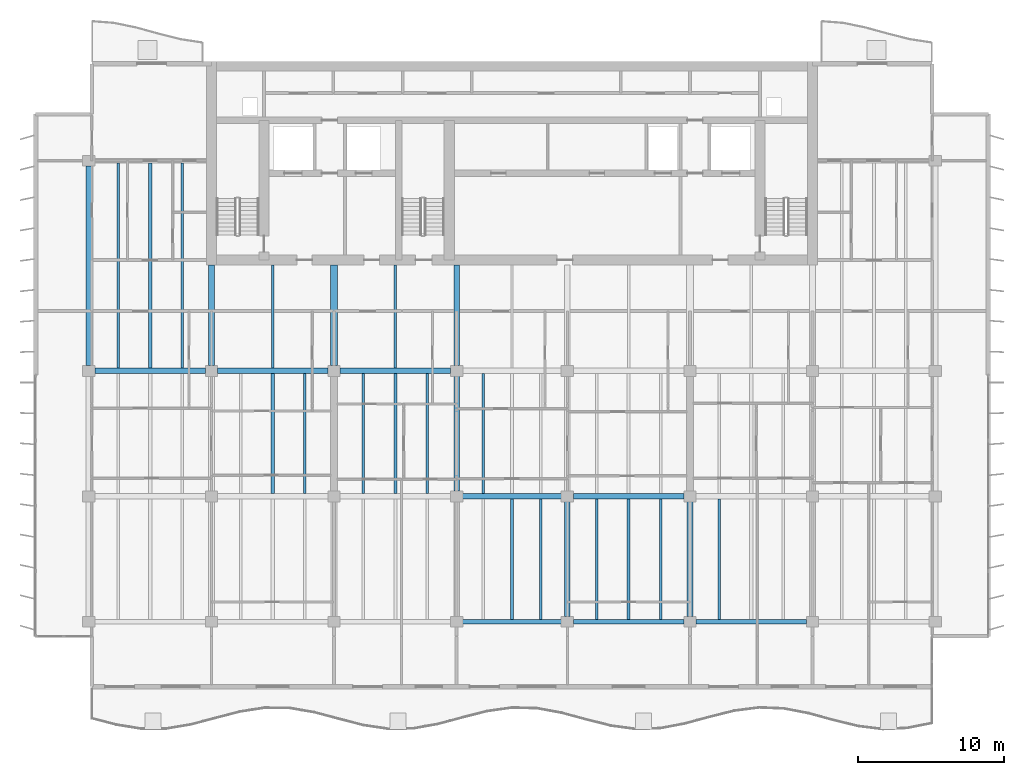
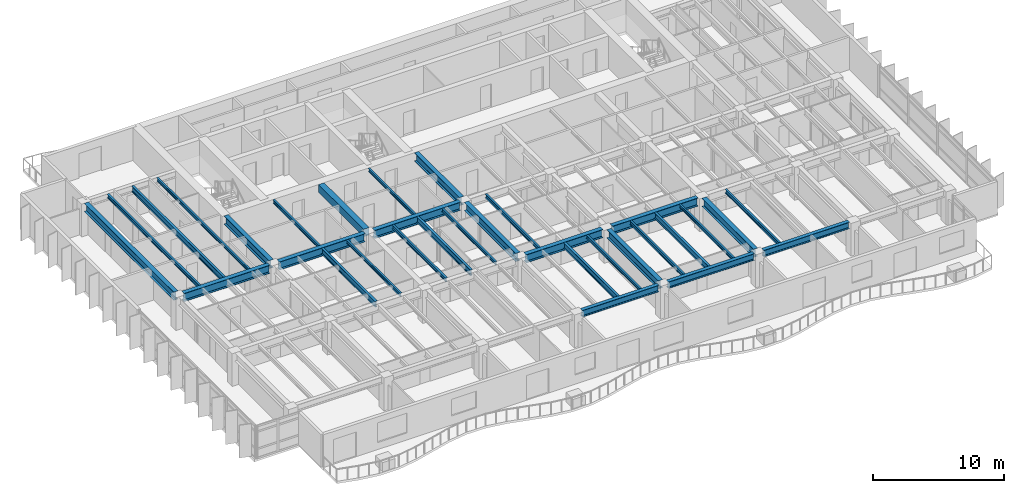
# One storey, part 3 of 19: 32 beams.
"""IFC4 building model written with IfcOpenShell, lengths in metres."""

from ifc_helpers import new_model, si_unit, direction, frame, origin, origin_2d, place, context, subcontext, project, spatial, rectangle, i_section, extrude, material, material_profile, profile_set, type_object, element, save


model = new_model("IFC4")

# Units and contexts
model_context = context("Model", 3, precision=1e-05, world=origin(), true_north=direction((0.0, 1.0)))
body_context = subcontext(model_context, "Body", "Model", "MODEL_VIEW")
ifc_project = project(units=[si_unit("LENGTHUNIT", "METRE"), si_unit("AREAUNIT", "SQUARE_METRE"), si_unit("VOLUMEUNIT", "CUBIC_METRE"), si_unit("PLANEANGLEUNIT", "RADIAN"), si_unit("MASSUNIT", "GRAM", prefix="KILO")], contexts=[model_context])

# Site, building, storey
site_placement = place(None, origin())
site = spatial("IfcSite", under=ifc_project, at=site_placement, CompositionType="ELEMENT")
building_placement = place(site_placement, origin())
building = spatial("IfcBuilding", under=site, at=building_placement, Name="Caelmar Bay Residences", CompositionType="ELEMENT")
storey_placement = place(building_placement, frame((0.0, 0.0, 191.699951171875)))
storey = spatial("IfcBuildingStorey", under=building, at=storey_placement, Name="L53", CompositionType="ELEMENT", Elevation=191.699951171875)

# Beams
ifc_material_1 = material(Name="Steel ASTM A992 Grade 50", Category="steel")
ifc_material_profile_1 = material_profile(ifc_material_1, i_section(OverallWidth=0.381103515625, OverallDepth=0.77197265625, WebThickness=0.0166015625, FlangeThickness=0.027099609375, FilletRadius=0.0166015625, at=origin_2d()), Name="W30X173")
ifc_profile_set_1 = profile_set([ifc_material_profile_1], Name="Steel ASTM A992 Grade 50")
beam_type_1 = type_object("IfcBeamType", Name="BM-GRD-W30X173", PredefinedType="BEAM", material=ifc_profile_set_1)
beam_1_placement = place(storey_placement, frame((35.514892578125, 20.800048828125, 2.6640625), z_axis=(1.0, 0.0, 0.0), x_axis=(0.0, 1.0, 0.0)))
element("IfcBeam", 1, at=beam_1_placement, inside=storey, type_object=beam_type_1, Name="L53 East-West Girder Y=20.80 (35.1-42.7)", PredefinedType="BEAM", context=body_context, shape_type="SweptSolid", body=[
    extrude(i_section(OverallWidth=0.381103515625, OverallDepth=0.77197265625, WebThickness=0.0166015625, FlangeThickness=0.027099609375, FilletRadius=0.0166015625, at=origin_2d()), origin(), (0.0, 0.0, 1.0), 6.77001953125),
])
for number, where, z_axis, x_axis, name in (
    (2, (43.114990234375, 20.800048828125, 2.6640625), (1.0, 0.0, 0.0), (0.0, 1.0, 0.0), "L53 East-West Girder Y=20.80 (42.7-51.1)"),
    (3, (10.31494140625, 29.39990234375, 2.6640625), (1.0, 0.0, 0.0), (0.0, 1.0, 0.0), "L53 East-West Girder Y=29.40 (9.9-18.3)"),
):
    element("IfcBeam", number, at=place(storey_placement, frame(where, z_axis=z_axis, x_axis=x_axis)), inside=storey, type_object=beam_type_1, Name=name, PredefinedType="BEAM", context=body_context, shape_type="SweptSolid", body=[
        extrude(i_section(OverallWidth=0.381103515625, OverallDepth=0.77197265625, WebThickness=0.0166015625, FlangeThickness=0.027099609375, FilletRadius=0.0166015625, at=origin_2d()), origin(), (0.0, 0.0, 1.0), 7.570068359375),
    ])
beam_2_placement = place(storey_placement, frame((18.715087890625, 29.39990234375, 2.6640625), z_axis=(1.0, 0.0, 0.0), x_axis=(0.0, 1.0, 0.0)))
element("IfcBeam", 4, at=beam_2_placement, inside=storey, type_object=beam_type_1, Name="L53 East-West Girder Y=29.40 (18.3-26.7)", PredefinedType="BEAM", context=body_context, shape_type="SweptSolid", body=[
    extrude(i_section(OverallWidth=0.381103515625, OverallDepth=0.77197265625, WebThickness=0.0166015625, FlangeThickness=0.027099609375, FilletRadius=0.0166015625, at=origin_2d()), origin(), (0.0, 0.0, 1.0), 7.56982421875),
])
beam_3_placement = place(storey_placement, frame((27.114990234375, 29.39990234375, 2.6640625), z_axis=(1.0, 0.0, 0.0), x_axis=(0.0, 1.0, 0.0)))
element("IfcBeam", 5, at=beam_3_placement, inside=storey, type_object=beam_type_1, Name="L53 East-West Girder Y=29.40 (26.7-35.1)", PredefinedType="BEAM", context=body_context, shape_type="SweptSolid", body=[
    extrude(i_section(OverallWidth=0.381103515625, OverallDepth=0.77197265625, WebThickness=0.0166015625, FlangeThickness=0.027099609375, FilletRadius=0.0166015625, at=origin_2d()), origin(), (0.0, 0.0, 1.0), 7.570068359375),
])
beam_4_placement = place(storey_placement, frame((9.89990234375, 29.764892578125, 2.6640625), z_axis=(0.0, 1.0, 0.0), x_axis=(-1.0, 0.0, 0.0)))
element("IfcBeam", 6, at=beam_4_placement, inside=storey, type_object=beam_type_1, Name="L53 North-South Girder X=9.90 (29.4-43.8)", PredefinedType="BEAM", context=body_context, shape_type="SweptSolid", body=[
    extrude(i_section(OverallWidth=0.381103515625, OverallDepth=0.77197265625, WebThickness=0.0166015625, FlangeThickness=0.027099609375, FilletRadius=0.0166015625, at=origin_2d()), origin(), (0.0, 0.0, 1.0), 13.670166015625),
])
for number, where, z_axis, x_axis, name in (
    (7, (18.300048828125, 29.764892578125, 2.6640625), (0.0, 1.0, 0.0), (-1.0, 0.0, 0.0), "L53 Core Tie Girder X=18.30"),
    (8, (35.10009765625, 29.764892578125, 2.6640625), (0.0, 1.0, 0.0), (-1.0, 0.0, 0.0), "L53 Core Tie Girder X=35.10"),
):
    element("IfcBeam", number, at=place(storey_placement, frame(where, z_axis=z_axis, x_axis=x_axis)), inside=storey, type_object=beam_type_1, Name=name, PredefinedType="BEAM", context=body_context, shape_type="SweptSolid", body=[
        extrude(i_section(OverallWidth=0.381103515625, OverallDepth=0.77197265625, WebThickness=0.0166015625, FlangeThickness=0.027099609375, FilletRadius=0.0166015625, at=origin_2d()), origin(), (0.0, 0.0, 1.0), 6.885009765625),
    ])
beam_5_placement = place(storey_placement, frame((35.10009765625, 21.1650390625, 2.6640625), z_axis=(0.0, 1.0, 0.0), x_axis=(-1.0, 0.0, 0.0)))
element("IfcBeam", 9, at=beam_5_placement, inside=storey, type_object=beam_type_1, Name="L53 North-South Girder X=35.10 (20.8-29.4)", PredefinedType="BEAM", context=body_context, shape_type="SweptSolid", body=[
    extrude(i_section(OverallWidth=0.381103515625, OverallDepth=0.77197265625, WebThickness=0.0166015625, FlangeThickness=0.027099609375, FilletRadius=0.0166015625, at=origin_2d()), origin(), (0.0, 0.0, 1.0), 7.869873046875),
])
for number, where, z_axis, x_axis, name in (
    (10, (42.699951171875, 12.56494140625, 2.6640625), (0.0, 1.0, 0.0), (-1.0, 0.0, 0.0), "L53 North-South Girder X=42.70 (12.2-20.8)"),
    (11, (51.10009765625, 12.56494140625, 2.6640625), (0.0, 1.0, 0.0), (-1.0, 0.0, 0.0), "L53 North-South Girder X=51.10 (12.2-20.8)"),
):
    element("IfcBeam", number, at=place(storey_placement, frame(where, z_axis=z_axis, x_axis=x_axis)), inside=storey, type_object=beam_type_1, Name=name, PredefinedType="BEAM", context=body_context, shape_type="SweptSolid", body=[
        extrude(i_section(OverallWidth=0.381103515625, OverallDepth=0.77197265625, WebThickness=0.0166015625, FlangeThickness=0.027099609375, FilletRadius=0.0166015625, at=origin_2d()), origin(), (0.0, 0.0, 1.0), 7.8701171875),
    ])
ifc_material_profile_2 = material_profile(ifc_material_1, i_section(OverallWidth=0.1650390625, OverallDepth=0.31005859375, WebThickness=0.005859375, FlangeThickness=0.009765625, FilletRadius=0.007568359375, at=origin_2d()), Name="W12X26")
ifc_profile_set_2 = profile_set([ifc_material_profile_2], Name="Steel ASTM A992 Grade 50")
beam_type_2 = type_object("IfcBeamType", Name="BM-JST-W12X26", PredefinedType="JOIST", material=ifc_profile_set_2)
for number, where, z_axis, x_axis, name in (
    (12, (40.8759765625, 12.362548828125, 2.89501953125), (0.0, 1.0, 0.0), (-1.0, 0.0, 0.0), "L53 Composite Floor Joist 12"),
    (13, (49.083984375, 12.362548828125, 2.89501953125), (0.0, 1.0, 0.0), (-1.0, 0.0, 0.0), "L53 Composite Floor Joist 15"),
):
    element("IfcBeam", number, at=place(storey_placement, frame(where, z_axis=z_axis, x_axis=x_axis)), inside=storey, type_object=beam_type_2, Name=name, PredefinedType="JOIST", context=body_context, shape_type="SweptSolid", body=[
        extrude(i_section(OverallWidth=0.1650390625, OverallDepth=0.31005859375, WebThickness=0.005859375, FlangeThickness=0.009765625, FilletRadius=0.007568359375, at=origin_2d()), origin(), (0.0, 0.0, 1.0), 8.2470703125),
    ])
for number, where, z_axis, x_axis, name in (
    (14, (24.68408203125, 20.990478515625, 2.89501953125), (0.0, 1.0, 0.0), (-1.0, 0.0, 0.0), "L53 Composite Floor Joist 27"),
    (15, (33.083984375, 20.990478515625, 2.89501953125), (0.0, 1.0, 0.0), (-1.0, 0.0, 0.0), "L53 Composite Floor Joist 30"),
):
    element("IfcBeam", number, at=place(storey_placement, frame(where, z_axis=z_axis, x_axis=x_axis)), inside=storey, type_object=beam_type_2, Name=name, PredefinedType="JOIST", context=body_context, shape_type="SweptSolid", body=[
        extrude(i_section(OverallWidth=0.1650390625, OverallDepth=0.31005859375, WebThickness=0.005859375, FlangeThickness=0.009765625, FilletRadius=0.007568359375, at=origin_2d()), origin(), (0.0, 0.0, 1.0), 8.218994140625),
    ])
for number, where, z_axis, x_axis, name in (
    (16, (22.5, 29.590576171875, 2.89501953125), (0.0, 1.0, 0.0), (-1.0, 0.0, 0.0), "L53 Core-Band Composite Joist 43"),
    (17, (30.89990234375, 29.590576171875, 2.89501953125), (0.0, 1.0, 0.0), (-1.0, 0.0, 0.0), "L53 Core-Band Composite Joist 44"),
):
    element("IfcBeam", number, at=place(storey_placement, frame(where, z_axis=z_axis, x_axis=x_axis)), inside=storey, type_object=beam_type_2, Name=name, PredefinedType="JOIST", context=body_context, shape_type="SweptSolid", body=[
        extrude(i_section(OverallWidth=0.1650390625, OverallDepth=0.31005859375, WebThickness=0.005859375, FlangeThickness=0.009765625, FilletRadius=0.007568359375, at=origin_2d()), origin(), (0.0, 0.0, 1.0), 7.059326171875),
    ])
beam_6_placement = place(storey_placement, frame((16.283935546875, 29.590576171875, 2.89501953125), z_axis=(0.0, 1.0, 0.0), x_axis=(-1.0, 0.0, 0.0)))
element("IfcBeam", 18, at=beam_6_placement, inside=storey, type_object=beam_type_2, Name="L53 Composite Floor Joist 50", PredefinedType="JOIST", context=body_context, shape_type="SweptSolid", body=[
    extrude(i_section(OverallWidth=0.1650390625, OverallDepth=0.31005859375, WebThickness=0.005859375, FlangeThickness=0.009765625, FilletRadius=0.007568359375, at=origin_2d()), origin(), (0.0, 0.0, 1.0), 14.046875),
])
ifc_material_profile_3 = material_profile(ifc_material_1, i_section(OverallWidth=0.1708984375, OverallDepth=0.35595703125, WebThickness=0.007080078125, FlangeThickness=0.01171875, FilletRadius=0.007568359375, at=origin_2d()), Name="W14X34")
ifc_profile_set_3 = profile_set([ifc_material_profile_3], Name="Steel ASTM A992 Grade 50")
beam_type_3 = type_object("IfcBeamType", Name="BM-JST-W14X34", PredefinedType="JOIST", material=ifc_profile_set_3)
for number, where, z_axis, x_axis, name in (
    (19, (44.716064453125, 12.362548828125, 2.8720703125), (0.0, 1.0, 0.0), (-1.0, 0.0, 0.0), "L53 Composite Floor Joist 13"),
    (20, (53.115966796875, 12.362548828125, 2.8720703125), (0.0, 1.0, 0.0), (-1.0, 0.0, 0.0), "L53 Composite Floor Joist 16"),
):
    element("IfcBeam", number, at=place(storey_placement, frame(where, z_axis=z_axis, x_axis=x_axis)), inside=storey, type_object=beam_type_3, Name=name, PredefinedType="JOIST", context=body_context, shape_type="SweptSolid", body=[
        extrude(i_section(OverallWidth=0.1708984375, OverallDepth=0.35595703125, WebThickness=0.007080078125, FlangeThickness=0.01171875, FilletRadius=0.007568359375, at=origin_2d()), origin(), (0.0, 0.0, 1.0), 8.2470703125),
    ])
for number, where, z_axis, x_axis, name in (
    (21, (28.716064453125, 20.990478515625, 2.8720703125), (0.0, 1.0, 0.0), (-1.0, 0.0, 0.0), "L53 Composite Floor Joist 28"),
    (22, (36.924072265625, 20.990478515625, 2.8720703125), (0.0, 1.0, 0.0), (-1.0, 0.0, 0.0), "L53 Composite Floor Joist 31"),
):
    element("IfcBeam", number, at=place(storey_placement, frame(where, z_axis=z_axis, x_axis=x_axis)), inside=storey, type_object=beam_type_3, Name=name, PredefinedType="JOIST", context=body_context, shape_type="SweptSolid", body=[
        extrude(i_section(OverallWidth=0.1708984375, OverallDepth=0.35595703125, WebThickness=0.007080078125, FlangeThickness=0.01171875, FilletRadius=0.007568359375, at=origin_2d()), origin(), (0.0, 0.0, 1.0), 8.218994140625),
    ])
beam_7_placement = place(storey_placement, frame((11.916015625, 29.590576171875, 2.8720703125), z_axis=(0.0, 1.0, 0.0), x_axis=(-1.0, 0.0, 0.0)))
element("IfcBeam", 23, at=beam_7_placement, inside=storey, type_object=beam_type_3, Name="L53 Composite Floor Joist 48", PredefinedType="JOIST", context=body_context, shape_type="SweptSolid", body=[
    extrude(i_section(OverallWidth=0.1708984375, OverallDepth=0.35595703125, WebThickness=0.007080078125, FlangeThickness=0.01171875, FilletRadius=0.007568359375, at=origin_2d()), origin(), (0.0, 0.0, 1.0), 14.046875),
])
ifc_material_profile_4 = material_profile(ifc_material_1, i_section(OverallWidth=0.2099609375, OverallDepth=0.535888671875, WebThickness=0.010986328125, FlangeThickness=0.017333984375, FilletRadius=0.0126953125, at=origin_2d()), Name="W21X68")
ifc_profile_set_4 = profile_set([ifc_material_profile_4], Name="Steel ASTM A992 Grade 50")
beam_type_4 = type_object("IfcBeamType", Name="BM-JST-W21X68", PredefinedType="JOIST", material=ifc_profile_set_4)
for number, where, z_axis, x_axis, name in (
    (24, (38.89990234375, 12.362548828125, 2.781982421875), (0.0, 1.0, 0.0), (-1.0, 0.0, 0.0), "L53 Composite Floor Joist 11"),
    (25, (46.89990234375, 12.362548828125, 2.781982421875), (0.0, 1.0, 0.0), (-1.0, 0.0, 0.0), "L53 Composite Floor Joist 14"),
):
    element("IfcBeam", number, at=place(storey_placement, frame(where, z_axis=z_axis, x_axis=x_axis)), inside=storey, type_object=beam_type_4, Name=name, PredefinedType="JOIST", context=body_context, shape_type="SweptSolid", body=[
        extrude(i_section(OverallWidth=0.2099609375, OverallDepth=0.535888671875, WebThickness=0.010986328125, FlangeThickness=0.017333984375, FilletRadius=0.0126953125, at=origin_2d()), origin(), (0.0, 0.0, 1.0), 8.2470703125),
    ])
for number, where, z_axis, x_axis, name in (
    (26, (22.5, 20.990478515625, 2.781982421875), (0.0, 1.0, 0.0), (-1.0, 0.0, 0.0), "L53 Composite Floor Joist 26"),
    (27, (30.89990234375, 20.990478515625, 2.781982421875), (0.0, 1.0, 0.0), (-1.0, 0.0, 0.0), "L53 Composite Floor Joist 29"),
):
    element("IfcBeam", number, at=place(storey_placement, frame(where, z_axis=z_axis, x_axis=x_axis)), inside=storey, type_object=beam_type_4, Name=name, PredefinedType="JOIST", context=body_context, shape_type="SweptSolid", body=[
        extrude(i_section(OverallWidth=0.2099609375, OverallDepth=0.535888671875, WebThickness=0.010986328125, FlangeThickness=0.017333984375, FilletRadius=0.0126953125, at=origin_2d()), origin(), (0.0, 0.0, 1.0), 8.218994140625),
    ])
beam_8_placement = place(storey_placement, frame((14.10009765625, 29.590576171875, 2.781982421875), z_axis=(0.0, 1.0, 0.0), x_axis=(-1.0, 0.0, 0.0)))
element("IfcBeam", 28, at=beam_8_placement, inside=storey, type_object=beam_type_4, Name="L53 Composite Floor Joist 49", PredefinedType="JOIST", context=body_context, shape_type="SweptSolid", body=[
    extrude(i_section(OverallWidth=0.2099609375, OverallDepth=0.535888671875, WebThickness=0.010986328125, FlangeThickness=0.017333984375, FilletRadius=0.0126953125, at=origin_2d()), origin(), (0.0, 0.0, 1.0), 14.046875),
])
ifc_material_2 = material(Name="Concrete f'c 55 MPa (8,000 psi)", Category="concrete")
ifc_material_profile_5 = material_profile(ifc_material_2, rectangle(XDim=0.5, YDim=0.699951171875, at=origin_2d()), Name="RC-BM-500X700")
ifc_profile_set_5 = profile_set([ifc_material_profile_5], Name="Concrete f'c 55 MPa (8,000 psi)")
beam_type_5 = type_object("IfcBeamType", Name="BM-RC-500X700", PredefinedType="LINTEL", material=ifc_profile_set_5)
beam_9_placement = place(storey_placement, frame((26.699951171875, 29.764892578125, 2.699951171875), z_axis=(0.0, 1.0, 0.0), x_axis=(-1.0, 0.0, 0.0)))
element("IfcBeam", 29, at=beam_9_placement, inside=storey, type_object=beam_type_5, Name="L53 Shear-Wall Corridor Coupling Lintel W5", PredefinedType="LINTEL", context=body_context, shape_type="SweptSolid", body=[
    extrude(rectangle(XDim=0.5, YDim=0.699951171875, at=origin_2d()), origin(), (0.0, 0.0, 1.0), 6.885009765625),
])
ifc_material_profile_6 = material_profile(ifc_material_1, i_section(OverallWidth=0.324951171875, OverallDepth=0.616943359375, WebThickness=0.013916015625, FlangeThickness=0.021484375, FilletRadius=0.0126953125, at=origin_2d()), Name="W24X117")
ifc_profile_set_6 = profile_set([ifc_material_profile_6], Name="Steel ASTM A992 Grade 50")
beam_type_6 = type_object("IfcBeamType", Name="BM-SPN-W24X117", PredefinedType="SPANDREL", material=ifc_profile_set_6)
beam_10_placement = place(storey_placement, frame((35.514892578125, 12.199951171875, 2.741455078125), z_axis=(1.0, 0.0, 0.0), x_axis=(0.0, 1.0, 0.0)))
element("IfcBeam", 30, at=beam_10_placement, inside=storey, type_object=beam_type_6, Name="L53 East-West Girder Y=12.20 (35.1-42.7)", PredefinedType="SPANDREL", context=body_context, shape_type="SweptSolid", body=[
    extrude(i_section(OverallWidth=0.324951171875, OverallDepth=0.616943359375, WebThickness=0.013916015625, FlangeThickness=0.021484375, FilletRadius=0.0126953125, at=origin_2d()), origin(), (0.0, 0.0, 1.0), 6.77001953125),
])
for number, where, z_axis, x_axis, name in (
    (31, (43.114990234375, 12.199951171875, 2.741455078125), (1.0, 0.0, 0.0), (0.0, 1.0, 0.0), "L53 East-West Girder Y=12.20 (42.7-51.1)"),
    (32, (51.514892578125, 12.199951171875, 2.741455078125), (1.0, 0.0, 0.0), (0.0, 1.0, 0.0), "L53 East-West Girder Y=12.20 (51.1-59.5)"),
):
    element("IfcBeam", number, at=place(storey_placement, frame(where, z_axis=z_axis, x_axis=x_axis)), inside=storey, type_object=beam_type_6, Name=name, PredefinedType="SPANDREL", context=body_context, shape_type="SweptSolid", body=[
        extrude(i_section(OverallWidth=0.324951171875, OverallDepth=0.616943359375, WebThickness=0.013916015625, FlangeThickness=0.021484375, FilletRadius=0.0126953125, at=origin_2d()), origin(), (0.0, 0.0, 1.0), 7.570068359375),
    ])

save(model, "model.ifc")
